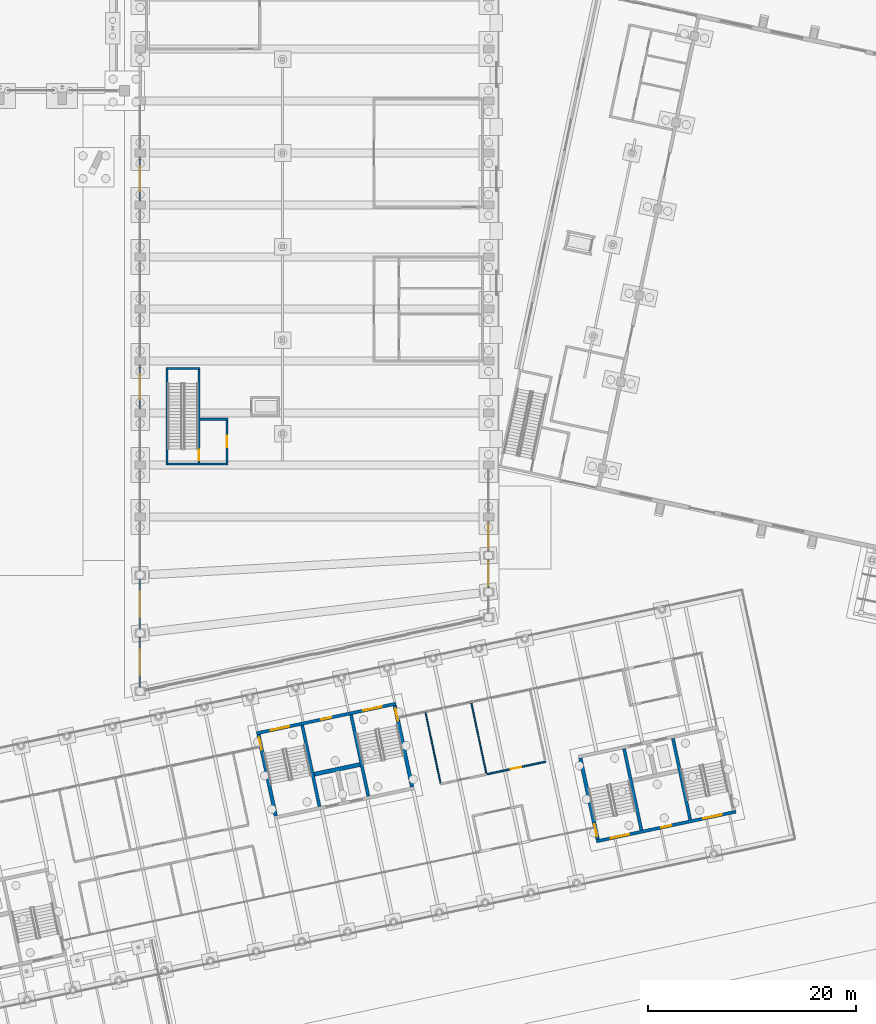
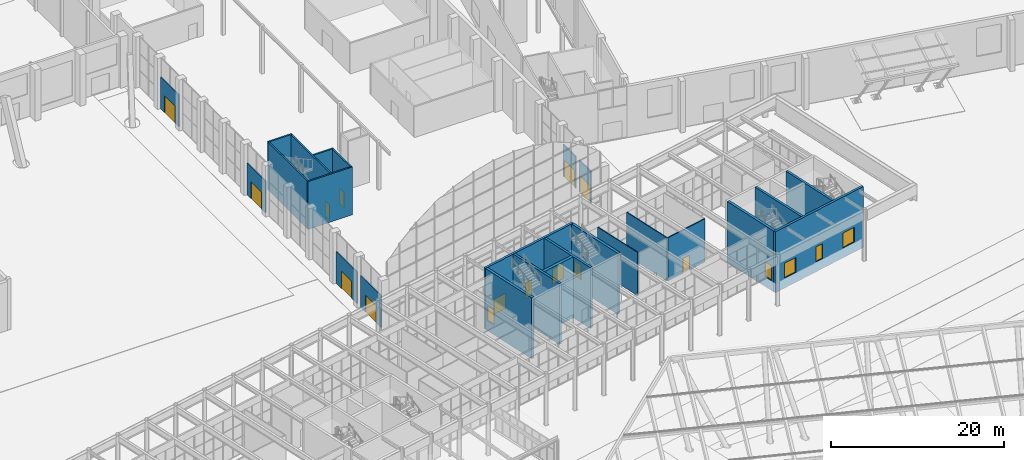
# One storey, part 173 of 239: 25 walls, 18 doors, 18 openings.
"""IFC4 building model written with IfcOpenShell, lengths in metres."""

from ifc_helpers import new_model, si_unit, direction, frame, frame_2d, origin, place, context, subcontext, project, spatial, rectangle, extrude, material, layer, layer_set, type_object, element, fill, save


model = new_model("IFC4")

# Units and contexts
model_context = context("Model", 3, precision=1e-05, world=origin(), true_north=direction((0.0, 1.0)))
body_context = subcontext(model_context, "Body", "Model", "MODEL_VIEW")
ifc_project = project(units=[si_unit("LENGTHUNIT", "METRE"), si_unit("AREAUNIT", "SQUARE_METRE"), si_unit("VOLUMEUNIT", "CUBIC_METRE"), si_unit("PLANEANGLEUNIT", "RADIAN"), si_unit("MASSUNIT", "GRAM", prefix="KILO")], contexts=[model_context])

# Site, building, storey
site_placement = place(None, origin())
site = spatial("IfcSite", under=ifc_project, at=site_placement, CompositionType="ELEMENT")
building_placement = place(site_placement, origin())
building = spatial("IfcBuilding", under=site, at=building_placement, Name="Okhra Congress Centre", CompositionType="ELEMENT")
storey_placement = place(building_placement, origin())
storey = spatial("IfcBuildingStorey", under=building, at=storey_placement, Name="L00", CompositionType="ELEMENT", Elevation=0.0)

# Wall, opening, door
ifc_material_1 = material(Name="Aluminium frame with insulated glazing (thermally broken)", Category="aluminium")
ifc_layer_1 = layer(ifc_material_1, 0.14990234375)
ifc_layer_set_1 = layer_set([ifc_layer_1], Name="Aluminium glazed screen wall 150")
wall_type_1 = type_object("IfcWallType", Name="Aluminium glazed screen wall 150", PredefinedType="SOLIDWALL", material=ifc_layer_set_1)
wall_1_placement = place(storey_placement, frame((155.5, 74.64697265625, 0.0), z_axis=(0.0, 0.0, 1.0), x_axis=(0.0, 1.0, 0.0)))
wall_1 = element("IfcWall", 1, at=wall_1_placement, inside=storey, type_object=wall_type_1, Name="West exit bay 1 lower wall", PredefinedType="SOLIDWALL", context=body_context, shape_type="SweptSolid", body=[
    extrude(rectangle(XDim=4.784423828125, YDim=0.14990234375, at=frame_2d((2.39208984375, 0.0))), origin(), (0.0, 0.0, 1.0), 4.5),
])
opening_1_placement = place(wall_1_placement, frame((1.192138671875, 0.0, 0.0)))
opening_1 = element("IfcOpeningElement", 2, at=opening_1_placement, cuts=wall_1, Name="Opening L00-078", PredefinedType="OPENING", context=body_context, shape_type="SweptSolid", body=[
    extrude(rectangle(XDim=2.39990234375, YDim=2.39990234375, at=frame_2d((1.199951171875, 1.199951171875))), frame((0.0, 0.0849609375, 0.0), z_axis=(0.0, -1.0, 0.0), x_axis=(1.0, 0.0, 0.0)), (0.0, 0.0, 1.0), 0.169921875),
])
ifc_material_2 = material(Name="Aluminium-framed toughened glass door leaves", Category="aluminium")
door_type_1 = type_object("IfcDoorType", Name="Aluminium glazed door pair 2400x2400", OperationType="NOTDEFINED", PredefinedType="DOOR", material=ifc_material_2)
door_1_placement = place(opening_1_placement, origin())
door_1 = element("IfcDoor", 3, at=door_1_placement, inside=storey, type_object=door_type_1, Name="West exit doors 1", OperationType="DOUBLE_DOOR_SINGLE_SWING", OverallHeight=2.39990234375, OverallWidth=2.39990234375, PredefinedType="DOOR", context=body_context, shape_type="SweptSolid", body=[
    extrude(rectangle(XDim=2.39990234375, YDim=2.39990234375, at=frame_2d((1.199951171875, 1.199951171875))), frame((0.0, 0.02490234375, 0.0), z_axis=(0.0, -1.0, 0.0), x_axis=(1.0, 0.0, 0.0)), (0.0, 0.0, 1.0), 0.050048828125),
])
fill(opening_1, door_1)

wall_2_placement = place(storey_placement, frame((155.5, 80.2314453125, 0.0), z_axis=(0.0, 0.0, 1.0), x_axis=(0.0, 1.0, 0.0)))
wall_2 = element("IfcWall", 4, at=wall_2_placement, inside=storey, type_object=wall_type_1, Name="West exit bay 2 lower wall", PredefinedType="SOLIDWALL", context=body_context, shape_type="SweptSolid", body=[
    extrude(rectangle(XDim=4.7841796875, YDim=0.14990234375, at=frame_2d((2.39208984375, 0.0))), origin(), (0.0, 0.0, 1.0), 4.5),
])
opening_2_placement = place(wall_2_placement, frame((1.192138671875, 0.0, 0.0)))
opening_2 = element("IfcOpeningElement", 5, at=opening_2_placement, cuts=wall_2, Name="Opening L00-079", PredefinedType="OPENING", context=body_context, shape_type="SweptSolid", body=[
    extrude(rectangle(XDim=2.39990234375, YDim=2.39990234375, at=frame_2d((1.199951171875, 1.199951171875))), frame((0.0, 0.0849609375, 0.0), z_axis=(0.0, -1.0, 0.0), x_axis=(1.0, 0.0, 0.0)), (0.0, 0.0, 1.0), 0.169921875),
])
door_2_placement = place(opening_2_placement, origin())
door_2 = element("IfcDoor", 6, at=door_2_placement, inside=storey, type_object=door_type_1, Name="West exit doors 2", OperationType="DOUBLE_DOOR_SINGLE_SWING", OverallHeight=2.39990234375, OverallWidth=2.39990234375, PredefinedType="DOOR", context=body_context, shape_type="SweptSolid", body=[
    extrude(rectangle(XDim=2.39990234375, YDim=2.39990234375, at=frame_2d((1.199951171875, 1.199951171875))), frame((0.0, 0.02490234375, 0.0), z_axis=(0.0, -1.0, 0.0), x_axis=(1.0, 0.0, 0.0)), (0.0, 0.0, 1.0), 0.050048828125),
])
fill(opening_2, door_2)

wall_3_placement = place(storey_placement, frame((155.5, 101.39990234375, 0.0), z_axis=(0.0, 0.0, 1.0), x_axis=(0.0, 1.0, 0.0)))
wall_3 = element("IfcWall", 7, at=wall_3_placement, inside=storey, type_object=wall_type_1, Name="West exit bay 6 lower wall", PredefinedType="SOLIDWALL", context=body_context, shape_type="SweptSolid", body=[
    extrude(rectangle(XDim=4.2001953125, YDim=0.14990234375, at=frame_2d((2.10009765625, 0.0))), origin(), (0.0, 0.0, 1.0), 4.5),
])
opening_3_placement = place(wall_3_placement, frame((0.89990234375, 0.0, 0.0)))
opening_3 = element("IfcOpeningElement", 8, at=opening_3_placement, cuts=wall_3, Name="Opening L00-080", PredefinedType="OPENING", context=body_context, shape_type="SweptSolid", body=[
    extrude(rectangle(XDim=2.39990234375, YDim=2.39990234375, at=frame_2d((1.199951171875, 1.199951171875))), frame((0.0, 0.0849609375, 0.0), z_axis=(0.0, -1.0, 0.0), x_axis=(1.0, 0.0, 0.0)), (0.0, 0.0, 1.0), 0.169921875),
])
door_3_placement = place(opening_3_placement, origin())
door_3 = element("IfcDoor", 9, at=door_3_placement, inside=storey, type_object=door_type_1, Name="West exit doors 6", OperationType="DOUBLE_DOOR_SINGLE_SWING", OverallHeight=2.39990234375, OverallWidth=2.39990234375, PredefinedType="DOOR", context=body_context, shape_type="SweptSolid", body=[
    extrude(rectangle(XDim=2.39990234375, YDim=2.39990234375, at=frame_2d((1.199951171875, 1.199951171875))), frame((0.0, 0.02490234375, 0.0), z_axis=(0.0, -1.0, 0.0), x_axis=(1.0, 0.0, 0.0)), (0.0, 0.0, 1.0), 0.050048828125),
])
fill(opening_3, door_3)

wall_4_placement = place(storey_placement, frame((155.5, 121.39990234375, 0.0), z_axis=(0.0, 0.0, 1.0), x_axis=(0.0, 1.0, 0.0)))
wall_4 = element("IfcWall", 10, at=wall_4_placement, inside=storey, type_object=wall_type_1, Name="West exit bay 10 lower wall", PredefinedType="SOLIDWALL", context=body_context, shape_type="SweptSolid", body=[
    extrude(rectangle(XDim=4.2001953125, YDim=0.14990234375, at=frame_2d((2.10009765625, 0.0))), origin(), (0.0, 0.0, 1.0), 4.5),
])
opening_4_placement = place(wall_4_placement, frame((0.89990234375, 0.0, 0.0)))
opening_4 = element("IfcOpeningElement", 11, at=opening_4_placement, cuts=wall_4, Name="Opening L00-081", PredefinedType="OPENING", context=body_context, shape_type="SweptSolid", body=[
    extrude(rectangle(XDim=2.39990234375, YDim=2.39990234375, at=frame_2d((1.199951171875, 1.199951171875))), frame((0.0, 0.0849609375, 0.0), z_axis=(0.0, -1.0, 0.0), x_axis=(1.0, 0.0, 0.0)), (0.0, 0.0, 1.0), 0.169921875),
])
door_4_placement = place(opening_4_placement, origin())
door_4 = element("IfcDoor", 12, at=door_4_placement, inside=storey, type_object=door_type_1, Name="West exit doors 10", OperationType="DOUBLE_DOOR_SINGLE_SWING", OverallHeight=2.39990234375, OverallWidth=2.39990234375, PredefinedType="DOOR", context=body_context, shape_type="SweptSolid", body=[
    extrude(rectangle(XDim=2.39990234375, YDim=2.39990234375, at=frame_2d((1.199951171875, 1.199951171875))), frame((0.0, 0.02490234375, 0.0), z_axis=(0.0, -1.0, 0.0), x_axis=(1.0, 0.0, 0.0)), (0.0, 0.0, 1.0), 0.050048828125),
])
fill(opening_4, door_4)

wall_5_placement = place(storey_placement, frame((189.0, 84.199951171875, 0.0), z_axis=(0.0, 0.0, 1.0), x_axis=(0.0, 1.0, 0.0)))
wall_5 = element("IfcWall", 13, at=wall_5_placement, inside=storey, type_object=wall_type_1, Name="East exit bay 2 lower wall", PredefinedType="SOLIDWALL", context=body_context, shape_type="SweptSolid", body=[
    extrude(rectangle(XDim=2.699951171875, YDim=0.14990234375, at=frame_2d((1.35009765625, 0.0))), origin(), (0.0, 0.0, 1.0), 4.5),
])
opening_5_placement = place(wall_5_placement, frame((0.14990234375, 0.0, 0.0)))
opening_5 = element("IfcOpeningElement", 14, at=opening_5_placement, cuts=wall_5, Name="Opening L00-082", PredefinedType="OPENING", context=body_context, shape_type="SweptSolid", body=[
    extrude(rectangle(XDim=2.39990234375, YDim=2.39990234375, at=frame_2d((1.199951171875, 1.199951171875))), frame((0.0, 0.0849609375, 0.0), z_axis=(0.0, -1.0, 0.0), x_axis=(1.0, 0.0, 0.0)), (0.0, 0.0, 1.0), 0.169921875),
])
door_5_placement = place(opening_5_placement, frame((2.39990234375, 0.0, 0.0), z_axis=(0.0, 0.0, 1.0), x_axis=(-1.0, 0.0, 0.0)))
door_5 = element("IfcDoor", 15, at=door_5_placement, inside=storey, type_object=door_type_1, Name="East exit doors 2", OperationType="DOUBLE_DOOR_SINGLE_SWING", OverallHeight=2.39990234375, OverallWidth=2.39990234375, PredefinedType="DOOR", context=body_context, shape_type="SweptSolid", body=[
    extrude(rectangle(XDim=2.39990234375, YDim=2.39990234375, at=frame_2d((1.199951171875, 1.199951171875))), frame((0.0, 0.02490234375, 0.0), z_axis=(0.0, -1.0, 0.0), x_axis=(1.0, 0.0, 0.0)), (0.0, 0.0, 1.0), 0.050048828125),
])
fill(opening_5, door_5)

wall_6_placement = place(storey_placement, frame((189.0, 87.699951171875, 0.0), z_axis=(0.0, 0.0, 1.0), x_axis=(0.0, 1.0, 0.0)))
wall_6 = element("IfcWall", 16, at=wall_6_placement, inside=storey, type_object=wall_type_1, Name="East exit bay 3 lower wall", PredefinedType="SOLIDWALL", context=body_context, shape_type="SweptSolid", body=[
    extrude(rectangle(XDim=2.900146484375, YDim=0.14990234375, at=frame_2d((1.4501953125, 0.0))), origin(), (0.0, 0.0, 1.0), 4.5),
])
opening_6_placement = place(wall_6_placement, frame((0.25, 0.0, 0.0)))
opening_6 = element("IfcOpeningElement", 17, at=opening_6_placement, cuts=wall_6, Name="Opening L00-083", PredefinedType="OPENING", context=body_context, shape_type="SweptSolid", body=[
    extrude(rectangle(XDim=2.39990234375, YDim=2.39990234375, at=frame_2d((1.199951171875, 1.199951171875))), frame((0.0, 0.0849609375, 0.0), z_axis=(0.0, -1.0, 0.0), x_axis=(1.0, 0.0, 0.0)), (0.0, 0.0, 1.0), 0.169921875),
])
door_6_placement = place(opening_6_placement, frame((2.39990234375, 0.0, 0.0), z_axis=(0.0, 0.0, 1.0), x_axis=(-1.0, 0.0, 0.0)))
door_6 = element("IfcDoor", 18, at=door_6_placement, inside=storey, type_object=door_type_1, Name="East exit doors 3", OperationType="DOUBLE_DOOR_SINGLE_SWING", OverallHeight=2.39990234375, OverallWidth=2.39990234375, PredefinedType="DOOR", context=body_context, shape_type="SweptSolid", body=[
    extrude(rectangle(XDim=2.39990234375, YDim=2.39990234375, at=frame_2d((1.199951171875, 1.199951171875))), frame((0.0, 0.02490234375, 0.0), z_axis=(0.0, -1.0, 0.0), x_axis=(1.0, 0.0, 0.0)), (0.0, 0.0, 1.0), 0.050048828125),
])
fill(opening_6, door_6)

# Walls
ifc_material_3 = material(Name="Gypsum board on steel studs", Category="steel")
ifc_layer_2 = layer(ifc_material_3, 0.125)
ifc_layer_set_2 = layer_set([ifc_layer_2], Name="Partition 125")
wall_type_2 = type_object("IfcWallType", Name="Partition 125", PredefinedType="PARTITIONING", material=ifc_layer_set_2)
for number, where, z_axis, x_axis, name in (
    (19, (182.943115234375, 72.1767578125, 0.0), (0.0, 0.0, 1.0), (0.207898812171, -0.978150338086, 0.0), "Room side wall 6a"),
    (20, (187.3447265625, 73.1123046875, 0.0), (0.0, 0.0, 1.0), (0.207898812171, -0.978150338086, 0.0), "Room side wall 6b"),
):
    element("IfcWall", number, at=place(storey_placement, frame(where, z_axis=z_axis, x_axis=x_axis)), inside=storey, type_object=wall_type_2, Name=name, PredefinedType="PARTITIONING", context=body_context, shape_type="SweptSolid", body=[
        extrude(rectangle(XDim=6.925048828125, YDim=0.125, at=frame_2d((3.46240234375, 0.0))), origin(), (0.0, 0.0, 1.0), 6.10009765625),
    ])

# Wall, opening, door
ifc_layer_3 = layer(ifc_material_3, 0.14990234375)
ifc_layer_set_3 = layer_set([ifc_layer_3], Name="Partition 150 EI 15")
wall_type_3 = type_object("IfcWallType", Name="Partition 150 EI 15", PredefinedType="PARTITIONING", material=ifc_layer_set_3)
wall_7_placement = place(storey_placement, frame((188.800048828125, 66.265380859375, 0.0), z_axis=(0.0, 0.0, 1.0), x_axis=(0.97815093383, 0.207896009217, 0.0)))
wall_7 = element("IfcWall", 21, at=wall_7_placement, inside=storey, type_object=wall_type_3, Name="Room front wall 7", PredefinedType="PARTITIONING", context=body_context, shape_type="SweptSolid", body=[
    extrude(rectangle(XDim=5.800048828125, YDim=0.14990234375, at=frame_2d((2.89990234375, 0.0))), origin(), (0.0, 0.0, 1.0), 6.10009765625),
])
opening_7_placement = place(wall_7_placement, frame((2.39990234375, 0.0, 0.0)))
opening_7 = element("IfcOpeningElement", 22, at=opening_7_placement, cuts=wall_7, Name="Opening L00-299", PredefinedType="OPENING", context=body_context, shape_type="SweptSolid", body=[
    extrude(rectangle(XDim=1.0, YDim=2.10009765625, at=frame_2d((0.5, 1.050048828125))), frame((0.0, 0.0849609375, 0.0), z_axis=(0.0, -1.0, 0.0), x_axis=(1.0, 0.0, 0.0)), (0.0, 0.0, 1.0), 0.169921875),
])
ifc_material_4 = material(Name="Timber door leaf in steel frame", Category="steel")
door_type_2 = type_object("IfcDoorType", Name="Single swing door 1000x2100", OperationType="NOTDEFINED", PredefinedType="DOOR", material=ifc_material_4)
door_7_placement = place(opening_7_placement, origin())
door_7 = element("IfcDoor", 23, at=door_7_placement, inside=storey, type_object=door_type_2, Name="Door L00-299", OperationType="SINGLE_SWING_LEFT", OverallHeight=2.10009765625, OverallWidth=1.0, PredefinedType="DOOR", context=body_context, shape_type="SweptSolid", body=[
    extrude(rectangle(XDim=1.0, YDim=2.10009765625, at=frame_2d((0.5, 1.050048828125))), frame((0.0, 0.02490234375, 0.0), z_axis=(0.0, -1.0, 0.0), x_axis=(1.0, 0.0, 0.0)), (0.0, 0.0, 1.0), 0.050048828125),
])
fill(opening_7, door_7)

# Wall, openings, doors
ifc_material_5 = material(Name="Concrete C35/45", Category="concrete")
ifc_layer_4 = layer(ifc_material_5, 0.300048828125)
ifc_layer_set_4 = layer_set([ifc_layer_4], Name="RC core wall 300 REI 120 C35/45")
wall_type_4 = type_object("IfcWallType", Name="RC core wall 300 REI 120 C35/45", PredefinedType="SHEAR", material=ifc_layer_set_4)
wall_8_placement = place(storey_placement, frame((166.69775390625, 70.2060546875, -1.39990234375), z_axis=(0.0, 0.0, 1.0), x_axis=(0.978147662755, 0.20791139903, 0.0)))
wall_8 = element("IfcWall", 24, at=wall_8_placement, inside=storey, type_object=wall_type_4, Name="BX.WALL.L00.K4S", PredefinedType="SHEAR", context=body_context, shape_type="SweptSolid", body=[
    extrude(rectangle(XDim=13.699951171875, YDim=0.300048828125, at=frame_2d((6.85009765625, 0.0))), origin(), (0.0, 0.0, 1.0), 8.599853515625),
])
opening_8_placement = place(wall_8_placement, frame((1.39990234375, 0.0, 1.39990234375)))
opening_8 = element("IfcOpeningElement", 25, at=opening_8_placement, cuts=wall_8, Name="Opening L00-271", PredefinedType="OPENING", context=body_context, shape_type="SweptSolid", body=[
    extrude(rectangle(XDim=1.800048828125, YDim=2.10009765625, at=frame_2d((0.89990234375, 1.050048828125))), frame((0.0, 0.159912109375, 0.0), z_axis=(0.0, -1.0, 0.0), x_axis=(1.0, 0.0, 0.0)), (0.0, 0.0, 1.0), 0.320068359375),
])
opening_9_placement = place(wall_8_placement, frame((10.5, 0.0, 1.39990234375)))
opening_9 = element("IfcOpeningElement", 26, at=opening_9_placement, cuts=wall_8, Name="Opening L00-272", PredefinedType="OPENING", context=body_context, shape_type="SweptSolid", body=[
    extrude(rectangle(XDim=1.800048828125, YDim=2.10009765625, at=frame_2d((0.89990234375, 1.050048828125))), frame((0.0, 0.159912109375, 0.0), z_axis=(0.0, -1.0, 0.0), x_axis=(1.0, 0.0, 0.0)), (0.0, 0.0, 1.0), 0.320068359375),
])
opening_10_placement = place(wall_8_placement, frame((6.35009765625, 0.0, 1.39990234375)))
opening_10 = element("IfcOpeningElement", 27, at=opening_10_placement, cuts=wall_8, Name="Opening L00-273", PredefinedType="OPENING", context=body_context, shape_type="SweptSolid", body=[
    extrude(rectangle(XDim=1.0, YDim=2.10009765625, at=frame_2d((0.5, 1.050048828125))), frame((0.0, 0.159912109375, 0.0), z_axis=(0.0, -1.0, 0.0), x_axis=(1.0, 0.0, 0.0)), (0.0, 0.0, 1.0), 0.320068359375),
])
ifc_material_6 = material(Name="Steel fire door leaf in steel frame, intumescent seals", Category="steel")
door_type_3 = type_object("IfcDoorType", Name="Steel fire door 1000x2100 EI 30", OperationType="NOTDEFINED", PredefinedType="DOOR", material=ifc_material_6)
door_8_placement = place(opening_10_placement, origin())
door_8 = element("IfcDoor", 28, at=door_8_placement, inside=storey, type_object=door_type_3, Name="Door L00-273", OperationType="SINGLE_SWING_RIGHT", OverallHeight=2.10009765625, OverallWidth=1.0, PredefinedType="DOOR", context=body_context, shape_type="SweptSolid", body=[
    extrude(rectangle(XDim=1.0, YDim=2.10009765625, at=frame_2d((0.5, 1.050048828125))), frame((0.0, 0.02490234375, 0.0), z_axis=(0.0, -1.0, 0.0), x_axis=(1.0, 0.0, 0.0)), (0.0, 0.0, 1.0), 0.050048828125),
])
fill(opening_10, door_8)
ifc_material_7 = material(Name="Steel fire door leaves in steel frame, intumescent seals", Category="steel")
door_type_4 = type_object("IfcDoorType", Name="Steel fire door pair 1800x2100 EI 30", OperationType="NOTDEFINED", PredefinedType="DOOR", material=ifc_material_7)
door_9_placement = place(opening_8_placement, origin())
door_9 = element("IfcDoor", 29, at=door_9_placement, inside=storey, type_object=door_type_4, Name="Door L00-271", OperationType="DOUBLE_DOOR_SINGLE_SWING", OverallHeight=2.10009765625, OverallWidth=1.800048828125, PredefinedType="DOOR", context=body_context, shape_type="SweptSolid", body=[
    extrude(rectangle(XDim=1.800048828125, YDim=2.10009765625, at=frame_2d((0.89990234375, 1.050048828125))), frame((0.0, 0.02490234375, 0.0), z_axis=(0.0, -1.0, 0.0), x_axis=(1.0, 0.0, 0.0)), (0.0, 0.0, 1.0), 0.050048828125),
])
fill(opening_8, door_9)
door_10_placement = place(opening_9_placement, origin())
door_10 = element("IfcDoor", 30, at=door_10_placement, inside=storey, type_object=door_type_4, Name="Door L00-272", OperationType="DOUBLE_DOOR_SINGLE_SWING", OverallHeight=2.10009765625, OverallWidth=1.800048828125, PredefinedType="DOOR", context=body_context, shape_type="SweptSolid", body=[
    extrude(rectangle(XDim=1.800048828125, YDim=2.10009765625, at=frame_2d((0.89990234375, 1.050048828125))), frame((0.0, 0.02490234375, 0.0), z_axis=(0.0, -1.0, 0.0), x_axis=(1.0, 0.0, 0.0)), (0.0, 0.0, 1.0), 0.050048828125),
])
fill(opening_9, door_10)

# Walls
for number, where, z_axis, x_axis, name in (
    (31, (171.081787109375, 70.984619140625, -1.39990234375), (0.0, 0.0, 1.0), (0.207915693476, -0.978146749934, 0.0), "BX.WALL.L00.K4P1"),
    (32, (175.77685546875, 71.982666015625, -1.39990234375), (0.0, 0.0, 1.0), (0.207915693476, -0.978146749934, 0.0), "BX.WALL.L00.K4P2"),
):
    element("IfcWall", number, at=place(storey_placement, frame(where, z_axis=z_axis, x_axis=x_axis)), inside=storey, type_object=wall_type_4, Name=name, PredefinedType="SHEAR", context=body_context, shape_type="SweptSolid", body=[
        extrude(rectangle(XDim=8.0, YDim=0.300048828125, at=frame_2d((4.0, 0.0))), origin(), (0.0, 0.0, 1.0), 8.599853515625),
    ])

# Wall, openings, doors
wall_9_placement = place(storey_placement, frame((199.37060546875, 59.822265625, -1.39990234375), z_axis=(0.0, 0.0, 1.0), x_axis=(0.978147662755, 0.20791139903, 0.0)))
wall_9 = element("IfcWall", 33, at=wall_9_placement, inside=storey, type_object=wall_type_4, Name="BX.WALL.L00.K5S", PredefinedType="SHEAR", context=body_context, shape_type="SweptSolid", body=[
    extrude(rectangle(XDim=13.699951171875, YDim=0.300048828125, at=frame_2d((6.85009765625, 0.0))), origin(), (0.0, 0.0, 1.0), 8.599853515625),
])
opening_11_placement = place(wall_9_placement, frame((1.39990234375, 0.0, 1.39990234375)))
opening_11 = element("IfcOpeningElement", 34, at=opening_11_placement, cuts=wall_9, Name="Opening L00-278", PredefinedType="OPENING", context=body_context, shape_type="SweptSolid", body=[
    extrude(rectangle(XDim=1.800048828125, YDim=2.10009765625, at=frame_2d((0.89990234375, 1.050048828125))), frame((0.0, 0.159912109375, 0.0), z_axis=(0.0, -1.0, 0.0), x_axis=(1.0, 0.0, 0.0)), (0.0, 0.0, 1.0), 0.320068359375),
])
opening_12_placement = place(wall_9_placement, frame((10.5, 0.0, 1.39990234375)))
opening_12 = element("IfcOpeningElement", 35, at=opening_12_placement, cuts=wall_9, Name="Opening L00-279", PredefinedType="OPENING", context=body_context, shape_type="SweptSolid", body=[
    extrude(rectangle(XDim=1.800048828125, YDim=2.10009765625, at=frame_2d((0.89990234375, 1.050048828125))), frame((0.0, 0.159912109375, 0.0), z_axis=(0.0, -1.0, 0.0), x_axis=(1.0, 0.0, 0.0)), (0.0, 0.0, 1.0), 0.320068359375),
])
opening_13_placement = place(wall_9_placement, frame((6.35009765625, 0.0, 1.39990234375)))
opening_13 = element("IfcOpeningElement", 36, at=opening_13_placement, cuts=wall_9, Name="Opening L00-280", PredefinedType="OPENING", context=body_context, shape_type="SweptSolid", body=[
    extrude(rectangle(XDim=1.0, YDim=2.10009765625, at=frame_2d((0.5, 1.050048828125))), frame((0.0, 0.159912109375, 0.0), z_axis=(0.0, -1.0, 0.0), x_axis=(1.0, 0.0, 0.0)), (0.0, 0.0, 1.0), 0.320068359375),
])
door_11_placement = place(opening_13_placement, frame((1.0, 0.0, 0.0), z_axis=(0.0, 0.0, 1.0), x_axis=(-1.0, 0.0, 0.0)))
door_11 = element("IfcDoor", 37, at=door_11_placement, inside=storey, type_object=door_type_3, Name="Door L00-280", OperationType="SINGLE_SWING_LEFT", OverallHeight=2.10009765625, OverallWidth=1.0, PredefinedType="DOOR", context=body_context, shape_type="SweptSolid", body=[
    extrude(rectangle(XDim=1.0, YDim=2.10009765625, at=frame_2d((0.5, 1.050048828125))), frame((0.0, 0.02490234375, 0.0), z_axis=(0.0, -1.0, 0.0), x_axis=(1.0, 0.0, 0.0)), (0.0, 0.0, 1.0), 0.050048828125),
])
fill(opening_13, door_11)
door_12_placement = place(opening_11_placement, frame((1.800048828125, 0.0, 0.0), z_axis=(0.0, 0.0, 1.0), x_axis=(-1.0, 0.0, 0.0)))
door_12 = element("IfcDoor", 38, at=door_12_placement, inside=storey, type_object=door_type_4, Name="Door L00-278", OperationType="DOUBLE_DOOR_SINGLE_SWING", OverallHeight=2.10009765625, OverallWidth=1.800048828125, PredefinedType="DOOR", context=body_context, shape_type="SweptSolid", body=[
    extrude(rectangle(XDim=1.800048828125, YDim=2.10009765625, at=frame_2d((0.89990234375, 1.050048828125))), frame((0.0, 0.02490234375, 0.0), z_axis=(0.0, -1.0, 0.0), x_axis=(1.0, 0.0, 0.0)), (0.0, 0.0, 1.0), 0.050048828125),
])
fill(opening_11, door_12)
door_13_placement = place(opening_12_placement, frame((1.800048828125, 0.0, 0.0), z_axis=(0.0, 0.0, 1.0), x_axis=(-1.0, 0.0, 0.0)))
door_13 = element("IfcDoor", 39, at=door_13_placement, inside=storey, type_object=door_type_4, Name="Door L00-279", OperationType="DOUBLE_DOOR_SINGLE_SWING", OverallHeight=2.10009765625, OverallWidth=1.800048828125, PredefinedType="DOOR", context=body_context, shape_type="SweptSolid", body=[
    extrude(rectangle(XDim=1.800048828125, YDim=2.10009765625, at=frame_2d((0.89990234375, 1.050048828125))), frame((0.0, 0.02490234375, 0.0), z_axis=(0.0, -1.0, 0.0), x_axis=(1.0, 0.0, 0.0)), (0.0, 0.0, 1.0), 0.050048828125),
])
fill(opening_12, door_13)

# Walls
for number, where, z_axis, x_axis, name in (
    (40, (203.6923828125, 60.894287109375, -1.39990234375), (0.0, 0.0, 1.0), (-0.207915693476, 0.978146749934, 0.0), "BX.WALL.L00.K5P1"),
    (41, (208.387451171875, 61.89208984375, -1.39990234375), (0.0, 0.0, 1.0), (-0.207915693476, 0.978146749934, 0.0), "BX.WALL.L00.K5P2"),
):
    element("IfcWall", number, at=place(storey_placement, frame(where, z_axis=z_axis, x_axis=x_axis)), inside=storey, type_object=wall_type_4, Name=name, PredefinedType="SHEAR", context=body_context, shape_type="SweptSolid", body=[
        extrude(rectangle(XDim=8.0, YDim=0.300048828125, at=frame_2d((4.0, 0.0))), origin(), (0.0, 0.0, 1.0), 8.599853515625),
    ])
ifc_layer_5 = layer(ifc_material_5, 0.39990234375)
ifc_layer_set_5 = layer_set([ifc_layer_5], Name="RC core wall 400 REI 120 C35/45")
wall_type_5 = type_object("IfcWallType", Name="RC core wall 400 REI 120 C35/45", PredefinedType="SHEAR", material=ifc_layer_set_5)
wall_10_placement = place(storey_placement, frame((172.23681640625, 66.271728515625, -1.39990234375), z_axis=(0.0, 0.0, 1.0), x_axis=(0.978149611564, 0.20790223038, 0.0)))
element("IfcWall", 42, at=wall_10_placement, inside=storey, type_object=wall_type_5, Name="BX.WALL.L00.K4R", PredefinedType="SHEAR", context=body_context, shape_type="SweptSolid", body=[
    extrude(rectangle(XDim=4.5, YDim=0.39990234375, at=frame_2d((2.25, 0.0))), origin(), (0.0, 0.0, 1.0), 8.599853515625),
])
ifc_material_8 = material(Name="Concrete C30/37", Category="concrete")
ifc_layer_6 = layer(ifc_material_8, 0.199951171875)
ifc_layer_set_6 = layer_set([ifc_layer_6], Name="RC wall 200 REI 120 C30/37")
wall_type_6 = type_object("IfcWallType", Name="RC wall 200 REI 120 C30/37", PredefinedType="SOLIDWALL", material=ifc_layer_set_6)
wall_11_placement = place(storey_placement, frame((158.0, 96.10009765625, 0.0), z_axis=(0.0, 0.0, 1.0), x_axis=(1.0, 0.0, 0.0)))
element("IfcWall", 43, at=wall_11_placement, inside=storey, type_object=wall_type_6, Name="Gallery stair cell and lobby south wall L00", PredefinedType="SOLIDWALL", context=body_context, shape_type="SweptSolid", body=[
    extrude(rectangle(XDim=5.949951171875, YDim=0.199951171875, at=frame_2d((2.97509765625, 0.0))), origin(), (0.0, 0.0, 1.0), 6.75),
])
wall_12_placement = place(storey_placement, frame((158.10009765625, 96.199951171875, 0.0), z_axis=(0.0, 0.0, 1.0), x_axis=(0.0, 1.0, 0.0)))
element("IfcWall", 44, at=wall_12_placement, inside=storey, type_object=wall_type_6, Name="Gallery stair cell west wall L00", PredefinedType="SOLIDWALL", context=body_context, shape_type="SweptSolid", body=[
    extrude(rectangle(XDim=9.0, YDim=0.199951171875, at=frame_2d((4.5, 0.0))), origin(), (0.0, 0.0, 1.0), 6.75),
])
wall_13_placement = place(storey_placement, frame((158.0, 105.300048828125, 0.0), z_axis=(0.0, 0.0, 1.0), x_axis=(1.0, 0.0, 0.0)))
element("IfcWall", 45, at=wall_13_placement, inside=storey, type_object=wall_type_6, Name="Gallery stair cell north wall L00", PredefinedType="SOLIDWALL", context=body_context, shape_type="SweptSolid", body=[
    extrude(rectangle(XDim=3.25, YDim=0.199951171875, at=frame_2d((1.625, 0.0))), origin(), (0.0, 0.0, 1.0), 6.75),
])

# Wall, opening, door
wall_14_placement = place(storey_placement, frame((161.14990234375, 96.199951171875, 0.0), z_axis=(0.0, 0.0, 1.0), x_axis=(0.0, 1.0, 0.0)))
wall_14 = element("IfcWall", 46, at=wall_14_placement, inside=storey, type_object=wall_type_6, Name="Gallery stair cell east wall L00", PredefinedType="SOLIDWALL", context=body_context, shape_type="SweptSolid", body=[
    extrude(rectangle(XDim=9.0, YDim=0.199951171875, at=frame_2d((4.5, 0.0))), origin(), (0.0, 0.0, 1.0), 6.75),
])
opening_14_placement = place(wall_14_placement, frame((0.25, 0.0, 0.0)))
opening_14 = element("IfcOpeningElement", 47, at=opening_14_placement, cuts=wall_14, Name="Opening L00-102", PredefinedType="OPENING", context=body_context, shape_type="SweptSolid", body=[
    extrude(rectangle(XDim=1.0, YDim=2.10009765625, at=frame_2d((0.5, 1.050048828125))), frame((0.0, 0.10986328125, 0.0), z_axis=(0.0, -1.0, 0.0), x_axis=(1.0, 0.0, 0.0)), (0.0, 0.0, 1.0), 0.219970703125),
])
door_type_5 = type_object("IfcDoorType", Name="Single swing door 1000x2100 EI 30", OperationType="NOTDEFINED", PredefinedType="DOOR", material=ifc_material_4)
door_14_placement = place(opening_14_placement, frame((1.0, 0.0, 0.0), z_axis=(0.0, 0.0, 1.0), x_axis=(-1.0, 0.0, 0.0)))
door_14 = element("IfcDoor", 48, at=door_14_placement, inside=storey, type_object=door_type_5, Name="Gallery stair door L00", OperationType="SINGLE_SWING_RIGHT", OverallHeight=2.10009765625, OverallWidth=1.0, PredefinedType="DOOR", context=body_context, shape_type="SweptSolid", body=[
    extrude(rectangle(XDim=1.0, YDim=2.10009765625, at=frame_2d((0.5, 1.050048828125))), frame((0.0, 0.02490234375, 0.0), z_axis=(0.0, -1.0, 0.0), x_axis=(1.0, 0.0, 0.0)), (0.0, 0.0, 1.0), 0.050048828125),
])
fill(opening_14, door_14)

# Wall
wall_15_placement = place(storey_placement, frame((161.25, 100.39990234375, 0.0), z_axis=(0.0, 0.0, 1.0), x_axis=(1.0, 0.0, 0.0)))
element("IfcWall", 49, at=wall_15_placement, inside=storey, type_object=wall_type_6, Name="Gallery stair lobby north wall L00", PredefinedType="SOLIDWALL", context=body_context, shape_type="SweptSolid", body=[
    extrude(rectangle(XDim=2.699951171875, YDim=0.199951171875, at=frame_2d((1.35009765625, 0.0))), origin(), (0.0, 0.0, 1.0), 6.75),
])

# Wall, opening, door
wall_16_placement = place(storey_placement, frame((163.85009765625, 96.199951171875, 0.0), z_axis=(0.0, 0.0, 1.0), x_axis=(0.0, 1.0, 0.0)))
wall_16 = element("IfcWall", 50, at=wall_16_placement, inside=storey, type_object=wall_type_6, Name="Gallery stair lobby east wall L00", PredefinedType="SOLIDWALL", context=body_context, shape_type="SweptSolid", body=[
    extrude(rectangle(XDim=4.10009765625, YDim=0.199951171875, at=frame_2d((2.050048828125, 0.0))), origin(), (0.0, 0.0, 1.0), 6.75),
])
opening_15_placement = place(wall_16_placement, frame((1.5, 0.0, 0.0)))
opening_15 = element("IfcOpeningElement", 51, at=opening_15_placement, cuts=wall_16, Name="Opening L00-103", PredefinedType="OPENING", context=body_context, shape_type="SweptSolid", body=[
    extrude(rectangle(XDim=1.10009765625, YDim=2.10009765625, at=frame_2d((0.550048828125, 1.050048828125))), frame((0.0, 0.10986328125, 0.0), z_axis=(0.0, -1.0, 0.0), x_axis=(1.0, 0.0, 0.0)), (0.0, 0.0, 1.0), 0.219970703125),
])
door_type_6 = type_object("IfcDoorType", Name="Single swing door 1100x2100 EI 30", OperationType="NOTDEFINED", PredefinedType="DOOR", material=ifc_material_4)
door_15_placement = place(opening_15_placement, frame((1.10009765625, 0.0, 0.0), z_axis=(0.0, 0.0, 1.0), x_axis=(-1.0, 0.0, 0.0)))
door_15 = element("IfcDoor", 52, at=door_15_placement, inside=storey, type_object=door_type_6, Name="Gallery stair lobby exit door", OperationType="SINGLE_SWING_LEFT", OverallHeight=2.10009765625, OverallWidth=1.10009765625, PredefinedType="DOOR", context=body_context, shape_type="SweptSolid", body=[
    extrude(rectangle(XDim=1.10009765625, YDim=2.10009765625, at=frame_2d((0.550048828125, 1.050048828125))), frame((0.0, 0.02490234375, 0.0), z_axis=(0.0, -1.0, 0.0), x_axis=(1.0, 0.0, 0.0)), (0.0, 0.0, 1.0), 0.050048828125),
])
fill(opening_15, door_15)

ifc_layer_7 = layer(ifc_material_8, 0.35009765625)
ifc_layer_set_7 = layer_set([ifc_layer_7], Name="RC wall 350 REI 120 C30/37")
wall_type_7 = type_object("IfcWallType", Name="RC wall 350 REI 120 C30/37", PredefinedType="SOLIDWALL", material=ifc_layer_set_7)
wall_17_placement = place(storey_placement, frame((166.875732421875, 70.090576171875, -1.39990234375), z_axis=(0.0, 0.0, 1.0), x_axis=(0.207915693476, -0.978146749934, 0.0)))
wall_17 = element("IfcWall", 53, at=wall_17_placement, inside=storey, type_object=wall_type_7, Name="BX.WALL.L00.K4W", PredefinedType="SOLIDWALL", context=body_context, shape_type="SweptSolid", body=[
    extrude(rectangle(XDim=8.0, YDim=0.35009765625, at=frame_2d((4.0, 0.0))), origin(), (0.0, 0.0, 1.0), 8.599853515625),
])
opening_16_placement = place(wall_17_placement, frame((0.300048828125, 0.0, 1.39990234375)))
opening_16 = element("IfcOpeningElement", 54, at=opening_16_placement, cuts=wall_17, Name="Opening L00-269", PredefinedType="OPENING", context=body_context, shape_type="SweptSolid", body=[
    extrude(rectangle(XDim=1.199951171875, YDim=2.10009765625, at=frame_2d((0.60009765625, 1.050048828125))), frame((0.0, 0.18505859375, 0.0), z_axis=(0.0, -1.0, 0.0), x_axis=(1.0, 0.0, 0.0)), (0.0, 0.0, 1.0), 0.3701171875),
])
door_type_7 = type_object("IfcDoorType", Name="Steel fire door 1200x2100 EI 30", OperationType="NOTDEFINED", PredefinedType="DOOR", material=ifc_material_6)
door_16_placement = place(opening_16_placement, frame((1.199951171875, 0.0, 0.0), z_axis=(0.0, 0.0, 1.0), x_axis=(-1.0, 0.0, 0.0)))
door_16 = element("IfcDoor", 55, at=door_16_placement, inside=storey, type_object=door_type_7, Name="Door L00-269", OperationType="SINGLE_SWING_RIGHT", OverallHeight=2.10009765625, OverallWidth=1.199951171875, PredefinedType="DOOR", context=body_context, shape_type="SweptSolid", body=[
    extrude(rectangle(XDim=1.199951171875, YDim=2.10009765625, at=frame_2d((0.60009765625, 1.050048828125))), frame((0.0, 0.02490234375, 0.0), z_axis=(0.0, -1.0, 0.0), x_axis=(1.0, 0.0, 0.0)), (0.0, 0.0, 1.0), 0.050048828125),
])
fill(opening_16, door_16)

wall_18_placement = place(storey_placement, frame((179.98291015625, 72.87646484375, -1.39990234375), z_axis=(0.0, 0.0, 1.0), x_axis=(0.207915693476, -0.978146749934, 0.0)))
wall_18 = element("IfcWall", 56, at=wall_18_placement, inside=storey, type_object=wall_type_7, Name="BX.WALL.L00.K4E", PredefinedType="SOLIDWALL", context=body_context, shape_type="SweptSolid", body=[
    extrude(rectangle(XDim=8.0, YDim=0.35009765625, at=frame_2d((4.0, 0.0))), origin(), (0.0, 0.0, 1.0), 8.599853515625),
])
opening_17_placement = place(wall_18_placement, frame((0.300048828125, 0.0, 1.39990234375)))
opening_17 = element("IfcOpeningElement", 57, at=opening_17_placement, cuts=wall_18, Name="Opening L00-270", PredefinedType="OPENING", context=body_context, shape_type="SweptSolid", body=[
    extrude(rectangle(XDim=1.199951171875, YDim=2.10009765625, at=frame_2d((0.60009765625, 1.050048828125))), frame((0.0, 0.18505859375, 0.0), z_axis=(0.0, -1.0, 0.0), x_axis=(1.0, 0.0, 0.0)), (0.0, 0.0, 1.0), 0.3701171875),
])
door_17_placement = place(opening_17_placement, origin())
door_17 = element("IfcDoor", 58, at=door_17_placement, inside=storey, type_object=door_type_7, Name="Door L00-270", OperationType="SINGLE_SWING_RIGHT", OverallHeight=2.10009765625, OverallWidth=1.199951171875, PredefinedType="DOOR", context=body_context, shape_type="SweptSolid", body=[
    extrude(rectangle(XDim=1.199951171875, YDim=2.10009765625, at=frame_2d((0.60009765625, 1.050048828125))), frame((0.0, 0.02490234375, 0.0), z_axis=(0.0, -1.0, 0.0), x_axis=(1.0, 0.0, 0.0)), (0.0, 0.0, 1.0), 0.050048828125),
])
fill(opening_17, door_17)

wall_19_placement = place(storey_placement, frame((199.486328125, 60.000244140625, -1.39990234375), z_axis=(0.0, 0.0, 1.0), x_axis=(-0.207915693476, 0.978146749934, 0.0)))
wall_19 = element("IfcWall", 59, at=wall_19_placement, inside=storey, type_object=wall_type_7, Name="BX.WALL.L00.K5W", PredefinedType="SOLIDWALL", context=body_context, shape_type="SweptSolid", body=[
    extrude(rectangle(XDim=8.0, YDim=0.35009765625, at=frame_2d((4.0, 0.0))), origin(), (0.0, 0.0, 1.0), 8.599853515625),
])
opening_18_placement = place(wall_19_placement, frame((0.300048828125, 0.0, 1.39990234375)))
opening_18 = element("IfcOpeningElement", 60, at=opening_18_placement, cuts=wall_19, Name="Opening L00-276", PredefinedType="OPENING", context=body_context, shape_type="SweptSolid", body=[
    extrude(rectangle(XDim=1.199951171875, YDim=2.10009765625, at=frame_2d((0.60009765625, 1.050048828125))), frame((0.0, 0.18505859375, 0.0), z_axis=(0.0, -1.0, 0.0), x_axis=(1.0, 0.0, 0.0)), (0.0, 0.0, 1.0), 0.3701171875),
])
door_18_placement = place(opening_18_placement, origin())
door_18 = element("IfcDoor", 61, at=door_18_placement, inside=storey, type_object=door_type_7, Name="Door L00-276", OperationType="SINGLE_SWING_LEFT", OverallHeight=2.10009765625, OverallWidth=1.199951171875, PredefinedType="DOOR", context=body_context, shape_type="SweptSolid", body=[
    extrude(rectangle(XDim=1.199951171875, YDim=2.10009765625, at=frame_2d((0.60009765625, 1.050048828125))), frame((0.0, 0.02490234375, 0.0), z_axis=(0.0, -1.0, 0.0), x_axis=(1.0, 0.0, 0.0)), (0.0, 0.0, 1.0), 0.050048828125),
])
fill(opening_18, door_18)

save(model, "model.ifc")
